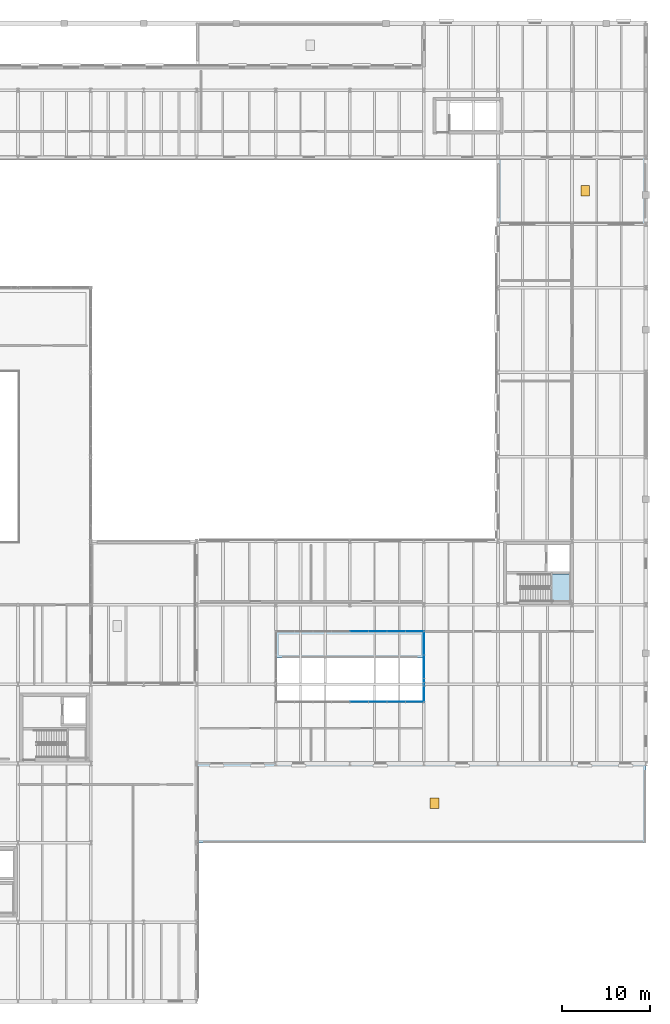
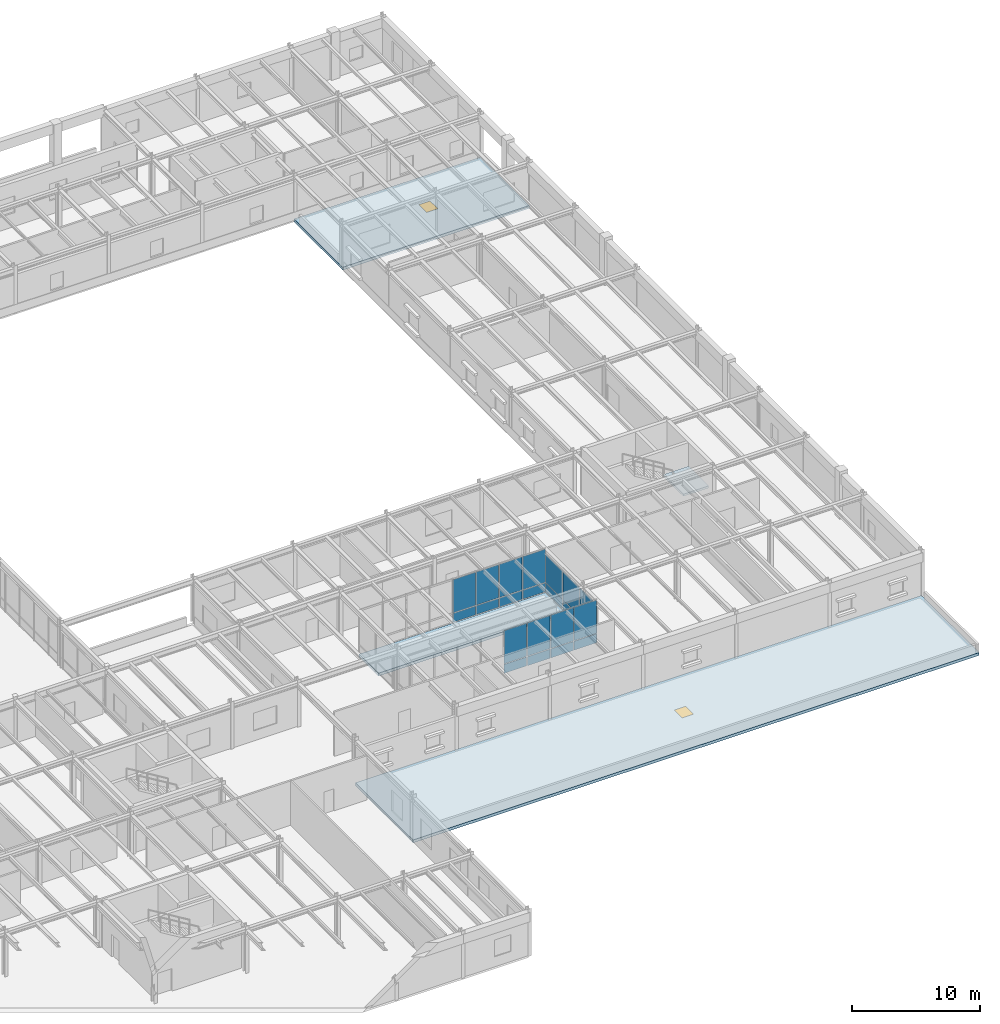
# One storey, part 38 of 64: 22 plates, 4 slabs, 2 doors, 2 openings, 7 elements without a shape of their own.
"""IFC4 building model written with IfcOpenShell, lengths in metres."""

from ifc_helpers import new_model, si_unit, direction, frame, origin, origin_2d, place, context, subcontext, project, spatial, polyline, rectangle, outline, extrude, material, layer, layer_set, type_object, element, fill, aggregate, save


model = new_model("IFC4")

# Units and contexts
model_context = context("Model", 3, precision=1e-05, world=origin(), true_north=direction((0.0, 1.0)))
body_context = subcontext(model_context, "Body", "Model", "MODEL_VIEW")
ifc_project = project(units=[si_unit("LENGTHUNIT", "METRE"), si_unit("AREAUNIT", "SQUARE_METRE"), si_unit("VOLUMEUNIT", "CUBIC_METRE"), si_unit("PLANEANGLEUNIT", "RADIAN"), si_unit("MASSUNIT", "GRAM", prefix="KILO")], contexts=[model_context])

# Site, building, storey
site_placement = place(None, origin())
site = spatial("IfcSite", under=ifc_project, at=site_placement, CompositionType="ELEMENT")
building_placement = place(site_placement, origin())
building = spatial("IfcBuilding", under=site, at=building_placement, Name="Montealbar Specialist Clinic", CompositionType="ELEMENT")
storey_placement = place(building_placement, frame((0.0, 0.0, 5.10009765625)))
storey = spatial("IfcBuildingStorey", under=building, at=storey_placement, Name="L01", CompositionType="ELEMENT", Elevation=5.10009765625)

# Curtain wall, plates
ifc_material_1 = material(Name="Low-E double glazing", Category="glass")
ifc_layer_1 = layer(ifc_material_1, 0.199951171875, Name="Low-E double glazing", Category="glass")
ifc_layer_set_1 = layer_set([ifc_layer_1], Name="Low-E double glazing")
curtain_wall_type_1 = type_object("IfcCurtainWallType", Name="CW-TYPE-10", PredefinedType="NOTDEFINED", material=ifc_layer_set_1)
curtain_wall_1_placement = place(storey_placement, origin())
curtain_wall_1 = element("IfcCurtainWall", 1, at=curtain_wall_1_placement, inside=storey, type_object=curtain_wall_type_1, Name="Unitised Curtain Wall CW-L01-1284-340-1368-340-51", PredefinedType="NOTDEFINED")
ifc_layer_2 = layer(ifc_material_1, 0.028076171875, Name="Low-E double glazing", Category="glass")
ifc_layer_set_2 = layer_set([ifc_layer_2], Name="Low-E double glazing")
plate_type = type_object("IfcPlateType", Name="CW-PNL-IGU28", PredefinedType="CURTAIN_PANEL", material=ifc_layer_set_2)
plate_1_placement = place(storey_placement, frame((129.449951171875, 34.0, 0.06982421875), z_axis=(0.0, 0.0, 1.0), x_axis=(1.0, 0.0, 0.0)))
plate_1 = element("IfcPlate", 2, at=plate_1_placement, type_object=plate_type, Name="Glazed Curtain Panel CW-L01-1284-340-1368-340-51-1-1", PredefinedType="CURTAIN_PANEL", context=body_context, shape_type="SweptSolid", body=[
    extrude(rectangle(XDim=2.028076171875, YDim=0.028076171875, at=origin_2d()), origin(), (0.0, 0.0, 1.0), 0.85009765625),
])
plate_2_placement = place(storey_placement, frame((129.449951171875, 34.0, 0.97998046875), z_axis=(0.0, 0.0, 1.0), x_axis=(1.0, 0.0, 0.0)))
plate_2 = element("IfcPlate", 3, at=plate_2_placement, type_object=plate_type, Name="Glazed Curtain Panel CW-L01-1284-340-1368-340-51-1-2", PredefinedType="CURTAIN_PANEL", context=body_context, shape_type="SweptSolid", body=[
    extrude(rectangle(XDim=2.028076171875, YDim=0.028076171875, at=origin_2d()), origin(), (0.0, 0.0, 1.0), 3.159912109375),
])
plate_3_placement = place(storey_placement, frame((131.550048828125, 34.0, 0.06982421875), z_axis=(0.0, 0.0, 1.0), x_axis=(1.0, 0.0, 0.0)))
plate_3 = element("IfcPlate", 4, at=plate_3_placement, type_object=plate_type, Name="Glazed Curtain Panel CW-L01-1284-340-1368-340-51-2-1", PredefinedType="CURTAIN_PANEL", context=body_context, shape_type="SweptSolid", body=[
    extrude(rectangle(XDim=2.028076171875, YDim=0.028076171875, at=origin_2d()), origin(), (0.0, 0.0, 1.0), 0.85009765625),
])
plate_4_placement = place(storey_placement, frame((131.550048828125, 34.0, 0.97998046875), z_axis=(0.0, 0.0, 1.0), x_axis=(1.0, 0.0, 0.0)))
plate_4 = element("IfcPlate", 5, at=plate_4_placement, type_object=plate_type, Name="Glazed Curtain Panel CW-L01-1284-340-1368-340-51-2-2", PredefinedType="CURTAIN_PANEL", context=body_context, shape_type="SweptSolid", body=[
    extrude(rectangle(XDim=2.028076171875, YDim=0.028076171875, at=origin_2d()), origin(), (0.0, 0.0, 1.0), 3.159912109375),
])
plate_5_placement = place(storey_placement, frame((133.64990234375, 34.0, 0.06982421875), z_axis=(0.0, 0.0, 1.0), x_axis=(1.0, 0.0, 0.0)))
plate_5 = element("IfcPlate", 6, at=plate_5_placement, type_object=plate_type, Name="Glazed Curtain Panel CW-L01-1284-340-1368-340-51-3-1", PredefinedType="CURTAIN_PANEL", context=body_context, shape_type="SweptSolid", body=[
    extrude(rectangle(XDim=2.028076171875, YDim=0.028076171875, at=origin_2d()), origin(), (0.0, 0.0, 1.0), 0.85009765625),
])
plate_6_placement = place(storey_placement, frame((133.64990234375, 34.0, 0.97998046875), z_axis=(0.0, 0.0, 1.0), x_axis=(1.0, 0.0, 0.0)))
plate_6 = element("IfcPlate", 7, at=plate_6_placement, type_object=plate_type, Name="Glazed Curtain Panel CW-L01-1284-340-1368-340-51-3-2", PredefinedType="CURTAIN_PANEL", context=body_context, shape_type="SweptSolid", body=[
    extrude(rectangle(XDim=2.028076171875, YDim=0.028076171875, at=origin_2d()), origin(), (0.0, 0.0, 1.0), 3.159912109375),
])
plate_7_placement = place(storey_placement, frame((135.75, 34.0, 0.06982421875), z_axis=(0.0, 0.0, 1.0), x_axis=(1.0, 0.0, 0.0)))
plate_7 = element("IfcPlate", 8, at=plate_7_placement, type_object=plate_type, Name="Glazed Curtain Panel CW-L01-1284-340-1368-340-51-4-1", PredefinedType="CURTAIN_PANEL", context=body_context, shape_type="SweptSolid", body=[
    extrude(rectangle(XDim=2.028076171875, YDim=0.028076171875, at=origin_2d()), origin(), (0.0, 0.0, 1.0), 0.85009765625),
])
plate_8_placement = place(storey_placement, frame((135.75, 34.0, 0.97998046875), z_axis=(0.0, 0.0, 1.0), x_axis=(1.0, 0.0, 0.0)))
plate_8 = element("IfcPlate", 9, at=plate_8_placement, type_object=plate_type, Name="Glazed Curtain Panel CW-L01-1284-340-1368-340-51-4-2", PredefinedType="CURTAIN_PANEL", context=body_context, shape_type="SweptSolid", body=[
    extrude(rectangle(XDim=2.028076171875, YDim=0.028076171875, at=origin_2d()), origin(), (0.0, 0.0, 1.0), 3.159912109375),
])
aggregate(curtain_wall_1, [plate_1, plate_2, plate_3, plate_4, plate_5, plate_6, plate_7, plate_8])

ifc_layer_3 = layer(ifc_material_1, 0.199951171875, Name="Low-E double glazing", Category="glass")
ifc_layer_set_3 = layer_set([ifc_layer_3], Name="Low-E double glazing")
curtain_wall_type_2 = type_object("IfcCurtainWallType", Name="CW-TYPE-11", PredefinedType="NOTDEFINED", material=ifc_layer_set_3)
curtain_wall_2_placement = place(storey_placement, origin())
curtain_wall_2 = element("IfcCurtainWall", 10, at=curtain_wall_2_placement, inside=storey, type_object=curtain_wall_type_2, Name="Unitised Curtain Wall CW-L01-1368-340-1368-420-51", PredefinedType="NOTDEFINED")
plate_9_placement = place(storey_placement, frame((136.800048828125, 35.3330078125, 0.06982421875), z_axis=(0.0, 0.0, 1.0), x_axis=(0.0, 1.0, 0.0)))
plate_9 = element("IfcPlate", 11, at=plate_9_placement, type_object=plate_type, Name="Glazed Curtain Panel CW-L01-1368-340-1368-420-51-1-1", PredefinedType="CURTAIN_PANEL", context=body_context, shape_type="SweptSolid", body=[
    extrude(rectangle(XDim=2.594970703125, YDim=0.028076171875, at=origin_2d()), origin(), (0.0, 0.0, 1.0), 0.85009765625),
])
plate_10_placement = place(storey_placement, frame((136.800048828125, 35.3330078125, 0.97998046875), z_axis=(0.0, 0.0, 1.0), x_axis=(0.0, 1.0, 0.0)))
plate_10 = element("IfcPlate", 12, at=plate_10_placement, type_object=plate_type, Name="Glazed Curtain Panel CW-L01-1368-340-1368-420-51-1-2", PredefinedType="CURTAIN_PANEL", context=body_context, shape_type="SweptSolid", body=[
    extrude(rectangle(XDim=2.594970703125, YDim=0.028076171875, at=origin_2d()), origin(), (0.0, 0.0, 1.0), 2.669921875),
])
plate_11_placement = place(storey_placement, frame((136.800048828125, 38.0, 0.06982421875), z_axis=(0.0, 0.0, 1.0), x_axis=(0.0, 1.0, 0.0)))
plate_11 = element("IfcPlate", 13, at=plate_11_placement, type_object=plate_type, Name="Glazed Curtain Panel CW-L01-1368-340-1368-420-51-2-1", PredefinedType="CURTAIN_PANEL", context=body_context, shape_type="SweptSolid", body=[
    extrude(rectangle(XDim=2.594970703125, YDim=0.028076171875, at=origin_2d()), origin(), (0.0, 0.0, 1.0), 0.85009765625),
])
plate_12_placement = place(storey_placement, frame((136.800048828125, 38.0, 0.97998046875), z_axis=(0.0, 0.0, 1.0), x_axis=(0.0, 1.0, 0.0)))
plate_12 = element("IfcPlate", 14, at=plate_12_placement, type_object=plate_type, Name="Glazed Curtain Panel CW-L01-1368-340-1368-420-51-2-2", PredefinedType="CURTAIN_PANEL", context=body_context, shape_type="SweptSolid", body=[
    extrude(rectangle(XDim=2.594970703125, YDim=0.028076171875, at=origin_2d()), origin(), (0.0, 0.0, 1.0), 2.669921875),
])
plate_13_placement = place(storey_placement, frame((136.800048828125, 40.6669921875, 0.06982421875), z_axis=(0.0, 0.0, 1.0), x_axis=(0.0, 1.0, 0.0)))
plate_13 = element("IfcPlate", 15, at=plate_13_placement, type_object=plate_type, Name="Glazed Curtain Panel CW-L01-1368-340-1368-420-51-3-1", PredefinedType="CURTAIN_PANEL", context=body_context, shape_type="SweptSolid", body=[
    extrude(rectangle(XDim=2.594970703125, YDim=0.028076171875, at=origin_2d()), origin(), (0.0, 0.0, 1.0), 0.85009765625),
])
plate_14_placement = place(storey_placement, frame((136.800048828125, 40.6669921875, 0.97998046875), z_axis=(0.0, 0.0, 1.0), x_axis=(0.0, 1.0, 0.0)))
plate_14 = element("IfcPlate", 16, at=plate_14_placement, type_object=plate_type, Name="Glazed Curtain Panel CW-L01-1368-340-1368-420-51-3-2", PredefinedType="CURTAIN_PANEL", context=body_context, shape_type="SweptSolid", body=[
    extrude(rectangle(XDim=2.594970703125, YDim=0.028076171875, at=origin_2d()), origin(), (0.0, 0.0, 1.0), 2.669921875),
])
aggregate(curtain_wall_2, [plate_9, plate_10, plate_11, plate_12, plate_13, plate_14])

curtain_wall_3_placement = place(storey_placement, origin())
curtain_wall_3 = element("IfcCurtainWall", 17, at=curtain_wall_3_placement, inside=storey, type_object=curtain_wall_type_1, Name="Unitised Curtain Wall CW-L01-1368-420-1284-420-51", PredefinedType="NOTDEFINED")
plate_15_placement = place(storey_placement, frame((135.75, 42.0, 0.06982421875), z_axis=(0.0, 0.0, 1.0), x_axis=(-1.0, 0.0, 0.0)))
plate_15 = element("IfcPlate", 18, at=plate_15_placement, type_object=plate_type, Name="Glazed Curtain Panel CW-L01-1368-420-1284-420-51-1-1", PredefinedType="CURTAIN_PANEL", context=body_context, shape_type="SweptSolid", body=[
    extrude(rectangle(XDim=2.028076171875, YDim=0.028076171875, at=origin_2d()), origin(), (0.0, 0.0, 1.0), 0.85009765625),
])
plate_16_placement = place(storey_placement, frame((135.75, 42.0, 0.97998046875), z_axis=(0.0, 0.0, 1.0), x_axis=(-1.0, 0.0, 0.0)))
plate_16 = element("IfcPlate", 19, at=plate_16_placement, type_object=plate_type, Name="Glazed Curtain Panel CW-L01-1368-420-1284-420-51-1-2", PredefinedType="CURTAIN_PANEL", context=body_context, shape_type="SweptSolid", body=[
    extrude(rectangle(XDim=2.028076171875, YDim=0.028076171875, at=origin_2d()), origin(), (0.0, 0.0, 1.0), 3.159912109375),
])
plate_17_placement = place(storey_placement, frame((133.64990234375, 42.0, 0.06982421875), z_axis=(0.0, 0.0, 1.0), x_axis=(-1.0, 0.0, 0.0)))
plate_17 = element("IfcPlate", 20, at=plate_17_placement, type_object=plate_type, Name="Glazed Curtain Panel CW-L01-1368-420-1284-420-51-2-1", PredefinedType="CURTAIN_PANEL", context=body_context, shape_type="SweptSolid", body=[
    extrude(rectangle(XDim=2.028076171875, YDim=0.028076171875, at=origin_2d()), origin(), (0.0, 0.0, 1.0), 0.85009765625),
])
plate_18_placement = place(storey_placement, frame((133.64990234375, 42.0, 0.97998046875), z_axis=(0.0, 0.0, 1.0), x_axis=(-1.0, 0.0, 0.0)))
plate_18 = element("IfcPlate", 21, at=plate_18_placement, type_object=plate_type, Name="Glazed Curtain Panel CW-L01-1368-420-1284-420-51-2-2", PredefinedType="CURTAIN_PANEL", context=body_context, shape_type="SweptSolid", body=[
    extrude(rectangle(XDim=2.028076171875, YDim=0.028076171875, at=origin_2d()), origin(), (0.0, 0.0, 1.0), 3.159912109375),
])
plate_19_placement = place(storey_placement, frame((131.550048828125, 42.0, 0.06982421875), z_axis=(0.0, 0.0, 1.0), x_axis=(-1.0, 0.0, 0.0)))
plate_19 = element("IfcPlate", 22, at=plate_19_placement, type_object=plate_type, Name="Glazed Curtain Panel CW-L01-1368-420-1284-420-51-3-1", PredefinedType="CURTAIN_PANEL", context=body_context, shape_type="SweptSolid", body=[
    extrude(rectangle(XDim=2.028076171875, YDim=0.028076171875, at=origin_2d()), origin(), (0.0, 0.0, 1.0), 0.85009765625),
])
plate_20_placement = place(storey_placement, frame((131.550048828125, 42.0, 0.97998046875), z_axis=(0.0, 0.0, 1.0), x_axis=(-1.0, 0.0, 0.0)))
plate_20 = element("IfcPlate", 23, at=plate_20_placement, type_object=plate_type, Name="Glazed Curtain Panel CW-L01-1368-420-1284-420-51-3-2", PredefinedType="CURTAIN_PANEL", context=body_context, shape_type="SweptSolid", body=[
    extrude(rectangle(XDim=2.028076171875, YDim=0.028076171875, at=origin_2d()), origin(), (0.0, 0.0, 1.0), 3.159912109375),
])
plate_21_placement = place(storey_placement, frame((129.449951171875, 42.0, 0.06982421875), z_axis=(0.0, 0.0, 1.0), x_axis=(-1.0, 0.0, 0.0)))
plate_21 = element("IfcPlate", 24, at=plate_21_placement, type_object=plate_type, Name="Glazed Curtain Panel CW-L01-1368-420-1284-420-51-4-1", PredefinedType="CURTAIN_PANEL", context=body_context, shape_type="SweptSolid", body=[
    extrude(rectangle(XDim=2.028076171875, YDim=0.028076171875, at=origin_2d()), origin(), (0.0, 0.0, 1.0), 0.85009765625),
])
plate_22_placement = place(storey_placement, frame((129.449951171875, 42.0, 0.97998046875), z_axis=(0.0, 0.0, 1.0), x_axis=(-1.0, 0.0, 0.0)))
plate_22 = element("IfcPlate", 25, at=plate_22_placement, type_object=plate_type, Name="Glazed Curtain Panel CW-L01-1368-420-1284-420-51-4-2", PredefinedType="CURTAIN_PANEL", context=body_context, shape_type="SweptSolid", body=[
    extrude(rectangle(XDim=2.028076171875, YDim=0.028076171875, at=origin_2d()), origin(), (0.0, 0.0, 1.0), 3.159912109375),
])
aggregate(curtain_wall_3, [plate_15, plate_16, plate_17, plate_18, plate_19, plate_20, plate_21, plate_22])

# Roof, slab, opening, door
ifc_material_2 = material(Name="Weatherproof roofing membrane", Category="concrete")
roof_type = type_object("IfcRoofType", Name="ROOF-CONT-FLAT", PredefinedType="FLAT_ROOF", material=ifc_material_2)
roof_1_placement = place(storey_placement, origin())
roof_1 = element("IfcRoof", 26, at=roof_1_placement, inside=storey, type_object=roof_type, Name="Flat Roof Assembly ROOF-L01-01", PredefinedType="FLAT_ROOF")
ifc_material_3 = material(Name="Concrete C35/45", Category="concrete")
ifc_layer_4 = layer(ifc_material_3, 0.27001953125, Name="Concrete C35/45", Category="concrete")
ifc_layer_set_4 = layer_set([ifc_layer_4], Name="Concrete C35/45")
slab_type_1 = type_object("IfcSlabType", Name="SL-ROOF-220", PredefinedType="ROOF", material=ifc_layer_set_4)
slab_1_placement = place(storey_placement, frame((0.0, 0.0, -0.27001953125)))
slab_1 = element("IfcSlab", 27, at=slab_1_placement, type_object=slab_type_1, Name="Roof Slab ROOF-L01-01", PredefinedType="ROOF", context=body_context, shape_type="SweptSolid", body=[
    extrude(outline(polyline([(111.0, 27.0), (162.0, 27.0), (162.0, 18.0), (111.0, 18.0), (111.0, 27.0)]), holes=[polyline([(138.489990234375, 23.090087890625), (137.510009765625, 23.090087890625), (137.510009765625, 21.909912109375), (138.489990234375, 21.909912109375), (138.489990234375, 23.090087890625)])]), origin(), (0.0, 0.0, 1.0), 0.27001953125),
])
opening_1_placement = place(slab_1_placement, frame((138.0, 22.5, -0.010009765625)))
opening_1 = element("IfcOpeningElement", 28, at=opening_1_placement, cuts=slab_1, Name="Opening HT-01", PredefinedType="OPENING", context=body_context, shape_type="SweptSolid", body=[
    extrude(rectangle(XDim=1.0, YDim=1.199951171875, at=origin_2d()), origin(), (0.0, 0.0, 1.0), 0.2900390625),
])
ifc_material_4 = material(Name="Powder-coated aluminium", Category="aluminium")
door_type = type_object("IfcDoorType", Name="DR-HATCH-RF01", OperationType="SINGLE_SWING_LEFT", PredefinedType="TRAPDOOR", material=ifc_material_4)
door_1_placement = place(slab_1_placement, frame((138.0, 22.5, 0.219970703125)))
door_1 = element("IfcDoor", 29, at=door_1_placement, inside=storey, type_object=door_type, Name="Roof Maintenance Access Hatch HT-01", OperationType="SINGLE_SWING_LEFT", OverallHeight=1.199951171875, OverallWidth=1.0, PredefinedType="TRAPDOOR", context=body_context, shape_type="SweptSolid", body=[
    extrude(rectangle(XDim=1.0, YDim=1.199951171875, at=origin_2d()), origin(), (0.0, 0.0, 1.0), 0.050048828125),
])
fill(opening_1, door_1)
aggregate(roof_1, [slab_1])

roof_2_placement = place(storey_placement, origin())
roof_2 = element("IfcRoof", 30, at=roof_2_placement, inside=storey, type_object=roof_type, Name="Flat Roof Assembly ROOF-L01-02", PredefinedType="FLAT_ROOF")
slab_2_placement = place(storey_placement, frame((0.0, 0.0, -0.27001953125)))
slab_2 = element("IfcSlab", 31, at=slab_2_placement, type_object=slab_type_1, Name="Roof Slab ROOF-L01-02", PredefinedType="ROOF", context=body_context, shape_type="SweptSolid", body=[
    extrude(outline(polyline([(162.0, 88.199951171875), (145.199951171875, 88.199951171875), (145.199951171875, 95.800048828125), (162.0, 95.800048828125), (162.0, 88.199951171875)]), holes=[polyline([(155.590087890625, 92.590087890625), (154.610107421875, 92.590087890625), (154.610107421875, 91.409912109375), (155.590087890625, 91.409912109375), (155.590087890625, 92.590087890625)])]), origin(), (0.0, 0.0, 1.0), 0.27001953125),
])
opening_2_placement = place(slab_2_placement, frame((155.10009765625, 92.0, -0.010009765625)))
opening_2 = element("IfcOpeningElement", 32, at=opening_2_placement, cuts=slab_2, Name="Opening HT-01", PredefinedType="OPENING", context=body_context, shape_type="SweptSolid", body=[
    extrude(rectangle(XDim=1.0, YDim=1.199951171875, at=origin_2d()), origin(), (0.0, 0.0, 1.0), 0.2900390625),
])
door_2_placement = place(slab_2_placement, frame((155.10009765625, 92.0, 0.219970703125)))
door_2 = element("IfcDoor", 33, at=door_2_placement, inside=storey, type_object=door_type, Name="Roof Maintenance Access Hatch HT-02", OperationType="SINGLE_SWING_LEFT", OverallHeight=1.199951171875, OverallWidth=1.0, PredefinedType="TRAPDOOR", context=body_context, shape_type="SweptSolid", body=[
    extrude(rectangle(XDim=1.0, YDim=1.199951171875, at=origin_2d()), origin(), (0.0, 0.0, 1.0), 0.050048828125),
])
fill(opening_2, door_2)
aggregate(roof_2, [slab_2])

# Roof, slab
roof_3_placement = place(storey_placement, origin())
roof_3 = element("IfcRoof", 34, at=roof_3_placement, inside=storey, type_object=roof_type, Name="Flat Roof Assembly ROOF-L01-03", PredefinedType="FLAT_ROOF")
slab_3_placement = place(storey_placement, frame((0.0, 0.0, -0.27001953125)))
slab_3 = element("IfcSlab", 35, at=slab_3_placement, type_object=slab_type_1, Name="Roof Slab ROOF-L01-03", PredefinedType="ROOF", context=body_context, shape_type="SweptSolid", body=[
    extrude(outline(polyline([(120.0, 42.0), (136.800048828125, 42.0), (136.800048828125, 39.0), (120.0, 39.0), (120.0, 42.0)])), origin(), (0.0, 0.0, 1.0), 0.27001953125),
])
aggregate(roof_3, [slab_3])

# Stair, slab
stair_type = type_object("IfcStairType", Name="STAIR-HT-03", PredefinedType="HALF_TURN_STAIR", material=ifc_material_3)
stair_placement = place(storey_placement, origin())
stair = element("IfcStair", 36, at=stair_placement, inside=storey, type_object=stair_type, Name="L01 Protected Exit Stair Core C6", PredefinedType="HALF_TURN_STAIR")
ifc_layer_5 = layer(ifc_material_3, 0.199951171875, Name="Concrete C35/45", Category="concrete")
ifc_layer_set_5 = layer_set([ifc_layer_5], Name="Concrete C35/45")
slab_type_2 = type_object("IfcSlabType", Name="SL-STAIR-LAND-200", PredefinedType="LANDING", material=ifc_layer_set_5)
slab_4_placement = place(storey_placement, frame((0.0, 0.0, 2.0498046875)))
slab_4 = element("IfcSlab", 37, at=slab_4_placement, type_object=slab_type_2, Name="ST-06 landing 1", PredefinedType="LANDING", context=body_context, shape_type="SweptSolid", body=[
    extrude(outline(polyline([(151.169921875, 45.39990234375), (153.449951171875, 45.39990234375), (153.449951171875, 48.5), (151.169921875, 48.5), (151.169921875, 45.39990234375)])), origin(), (0.0, 0.0, 1.0), 0.2001953125),
])
aggregate(stair, [slab_4])

save(model, "model.ifc")
